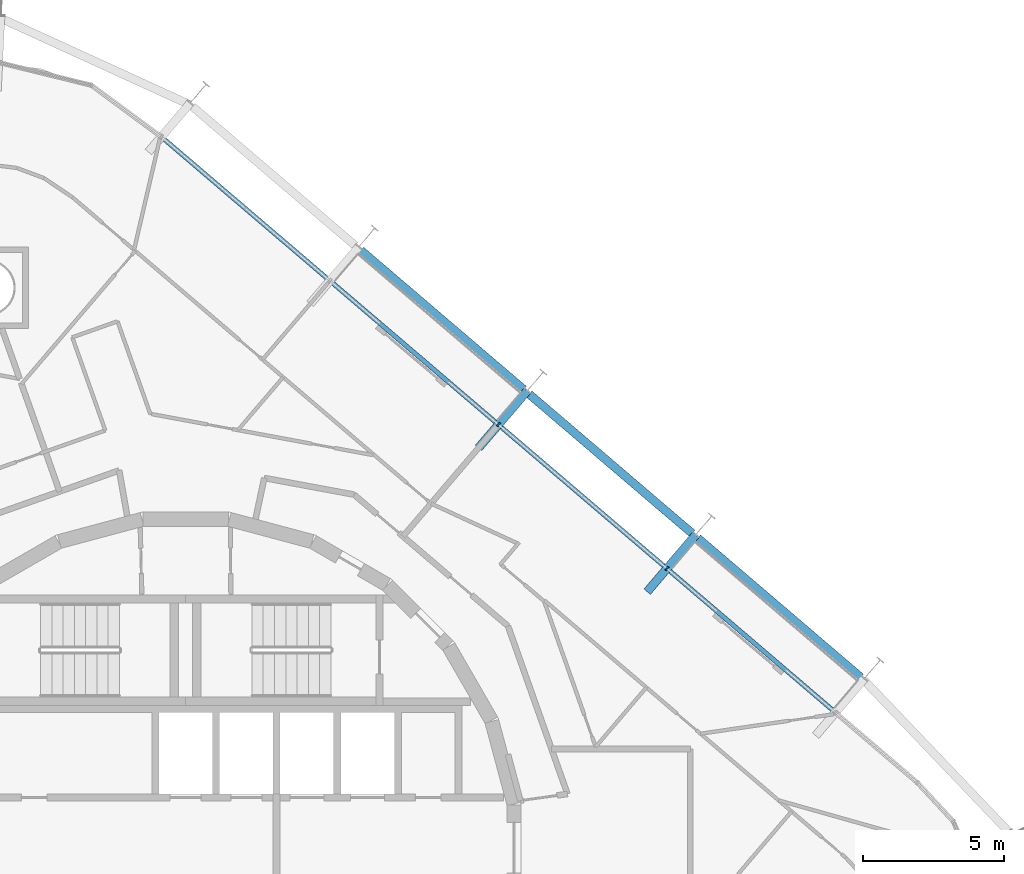
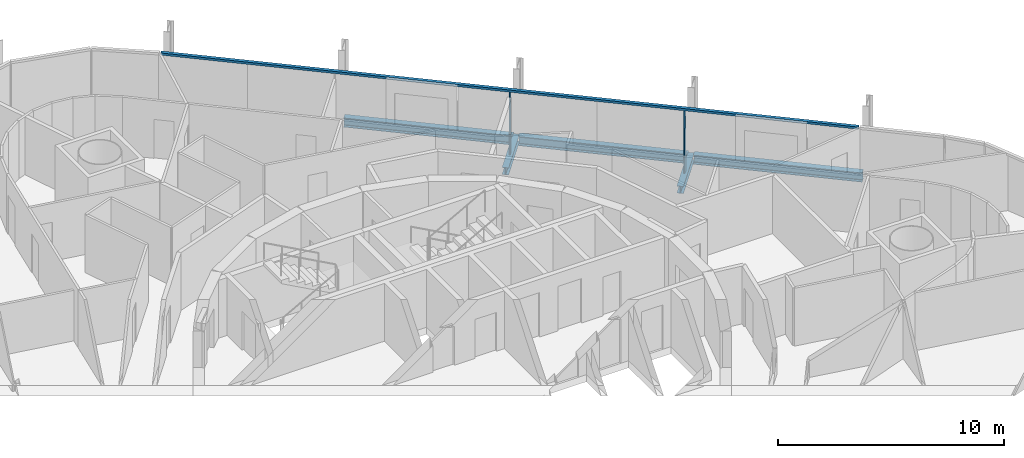
# One storey, part 8 of 17: 5 beams, 3 members, 1 element without a shape of its own.
"""IFC4 building model written with IfcOpenShell, lengths in metres."""

from ifc_helpers import new_model, si_unit, direction, frame, origin, origin_2d, place, context, subcontext, project, spatial, rectangle, i_section, extrude, material, layer, layer_set, material_profile, profile_set, type_object, element, aggregate, save


model = new_model("IFC4")

# Units and contexts
model_context = context("Model", 3, precision=1e-05, world=origin(), true_north=direction((0.0, 1.0)))
body_context = subcontext(model_context, "Body", "Model", "MODEL_VIEW")
ifc_project = project(units=[si_unit("LENGTHUNIT", "METRE"), si_unit("AREAUNIT", "SQUARE_METRE"), si_unit("VOLUMEUNIT", "CUBIC_METRE"), si_unit("PLANEANGLEUNIT", "RADIAN"), si_unit("MASSUNIT", "GRAM", prefix="KILO")], contexts=[model_context])

# Site, building, storey
site_placement = place(None, origin())
site = spatial("IfcSite", under=ifc_project, at=site_placement, CompositionType="ELEMENT")
building_placement = place(site_placement, origin())
building = spatial("IfcBuilding", under=site, at=building_placement, Name="Spindle Arch Residences", CompositionType="ELEMENT")
storey_placement = place(building_placement, frame((0.0, 0.0, 176.199951171875)))
storey = spatial("IfcBuildingStorey", under=building, at=storey_placement, Name="L44", CompositionType="ELEMENT", Elevation=176.199951171875)

# Curtain wall, members
ifc_material_1 = material(Name="Aluminium bronze unitised frame with tinted glass", Category="aluminium")
ifc_layer = layer(ifc_material_1, 0.159912109375)
ifc_layer_set = layer_set([ifc_layer], Name="CW-C typical residential unitised wall")
curtain_wall_type = type_object("IfcCurtainWallType", Name="CW-C typical residential unitised wall", PredefinedType="NOTDEFINED", material=ifc_layer_set)
curtain_wall_placement = place(storey_placement, origin())
curtain_wall = element("IfcCurtainWall", 1, at=curtain_wall_placement, inside=storey, type_object=curtain_wall_type, Name="CW-C L44 run 2", PredefinedType="NOTDEFINED")
ifc_material_2 = material(Name="Aluminium bronze anodised mullion", Category="aluminium")
ifc_material_profile_1 = material_profile(ifc_material_2, rectangle(XDim=0.159912109375, YDim=0.06005859375, at=origin_2d()), Name="MU 60x160")
ifc_profile_set_1 = profile_set([ifc_material_profile_1], Name="Aluminium bronze anodised mullion")
member_type_1 = type_object("IfcMemberType", Name="Bronze mullion 60x160", PredefinedType="MULLION", material=ifc_profile_set_1)
member_1_placement = place(storey_placement, frame((17.06884765625, 9.8994140625, -0.3798828125), z_axis=(0.0, 0.0, 1.0), x_axis=(-0.64944804833, -0.7604059656, 0.0)))
member_1 = element("IfcMember", 2, at=member_1_placement, type_object=member_type_1, Name="CW-C mullion 06", PredefinedType="MULLION", context=body_context, shape_type="SweptSolid", body=[
    extrude(rectangle(XDim=0.159912109375, YDim=0.06005859375, at=origin_2d()), origin(), (0.0, 0.0, 1.0), 3.3798828125),
])
member_2_placement = place(storey_placement, frame((11.092041015625, 15.004150390625, -0.3798828125), z_axis=(0.0, 0.0, 1.0), x_axis=(-0.64944804833, -0.7604059656, 0.0)))
member_2 = element("IfcMember", 3, at=member_2_placement, type_object=member_type_1, Name="CW-C mullion 07", PredefinedType="MULLION", context=body_context, shape_type="SweptSolid", body=[
    extrude(rectangle(XDim=0.159912109375, YDim=0.06005859375, at=origin_2d()), origin(), (0.0, 0.0, 1.0), 3.3798828125),
])
ifc_material_3 = material(Name="Aluminium bronze anodised transom", Category="aluminium")
ifc_material_profile_2 = material_profile(ifc_material_3, rectangle(XDim=0.159912109375, YDim=0.1201171875, at=origin_2d()), Name="TR 120x160")
ifc_profile_set_2 = profile_set([ifc_material_profile_2], Name="Aluminium bronze anodised transom")
member_type_2 = type_object("IfcMemberType", Name="Bronze transom 120x160", PredefinedType="USERDEFINED", material=ifc_profile_set_2)
member_3_placement = place(storey_placement, frame((23.02294921875, 4.814208984375, 3.06005859375), z_axis=(-0.760406495952, 0.649447427368, 0.0), x_axis=(-0.649447427368, -0.760406495952, 0.0)))
member_3 = element("IfcMember", 4, at=member_3_placement, type_object=member_type_2, Name="CW-C transom 00", ObjectType="TRANSOM", PredefinedType="USERDEFINED", context=body_context, shape_type="SweptSolid", body=[
    extrude(rectangle(XDim=0.159912109375, YDim=0.1201171875, at=origin_2d()), origin(), (0.0, 0.0, 1.0), 31.38037109375),
])
aggregate(curtain_wall, [member_3, member_1, member_2])

# Beams
ifc_material_4 = material(Name="Steel S460ML, intumescent coating R 120", Category="steel")
ifc_material_profile_3 = material_profile(ifc_material_4, i_section(OverallWidth=0.300048828125, OverallDepth=0.5, WebThickness=0.014404296875, FlangeThickness=0.028076171875, FilletRadius=0.027099609375, at=origin_2d()), Name="HEB 500")
ifc_profile_set_3 = profile_set([ifc_material_profile_3], Name="Steel S460ML, intumescent coating R 120")
beam_type_1 = type_object("IfcBeamType", Name="Exoskeleton edge beam HEB 500", PredefinedType="BEAM", material=ifc_profile_set_3)
for number, where, z_axis, x_axis, name in (
    (5, (23.9404296875, 6.04248046875, -0.6298828125), (-0.760389211598, 0.649467664234, 0.0), (-0.649467664234, -0.760389211598, 0.0), "Exoskeleton edge beam 6"),
    (6, (17.963623046875, 11.147216796875, -0.6298828125), (-0.760389211598, 0.649467664234, 0.0), (-0.649467664234, -0.760389211598, 0.0), "Exoskeleton edge beam 7"),
):
    element("IfcBeam", number, at=place(storey_placement, frame(where, z_axis=z_axis, x_axis=x_axis)), inside=storey, type_object=beam_type_1, Name=name, PredefinedType="BEAM", context=body_context, shape_type="SweptSolid", body=[
        extrude(i_section(OverallWidth=0.300048828125, OverallDepth=0.5, WebThickness=0.014404296875, FlangeThickness=0.028076171875, FilletRadius=0.027099609375, at=origin_2d()), origin(), (0.0, 0.0, 1.0), 7.60009765625),
    ])
beam_placement = place(storey_placement, frame((11.98681640625, 16.251953125, -0.6298828125), z_axis=(-0.760402760949, 0.649451800476, 0.0), x_axis=(-0.649451800476, -0.760402760949, 0.0)))
element("IfcBeam", 7, at=beam_placement, inside=storey, type_object=beam_type_1, Name="Exoskeleton edge beam 8", PredefinedType="BEAM", context=body_context, shape_type="SweptSolid", body=[
    extrude(i_section(OverallWidth=0.300048828125, OverallDepth=0.5, WebThickness=0.014404296875, FlangeThickness=0.028076171875, FilletRadius=0.027099609375, at=origin_2d()), origin(), (0.0, 0.0, 1.0), 7.600341796875),
])
ifc_material_5 = material(Name="Steel S460ML, intumescent coating R 120", Category="steel")
ifc_material_profile_4 = material_profile(ifc_material_5, i_section(OverallWidth=0.300048828125, OverallDepth=0.389892578125, WebThickness=0.010986328125, FlangeThickness=0.01904296875, FilletRadius=0.027099609375, at=origin_2d()), Name="HEA 400")
ifc_profile_set_4 = profile_set([ifc_material_profile_4], Name="Steel S460ML, intumescent coating R 120")
beam_type_2 = type_object("IfcBeamType", Name="Floor outrigger HEA 400", PredefinedType="BEAM", material=ifc_profile_set_4)
for number, where, z_axis, x_axis, name in (
    (8, (18.08837890625, 11.09326171875, -0.574951171875), (-0.64941704551, -0.760432443417, 0.0), (0.760432443417, -0.64941704551, 0.0), "Floor outrigger 7"),
    (9, (12.111572265625, 16.197998046875, -0.574951171875), (-0.64941704551, -0.760432443417, 0.0), (0.760432443417, -0.64941704551, 0.0), "Floor outrigger 8"),
):
    element("IfcBeam", number, at=place(storey_placement, frame(where, z_axis=z_axis, x_axis=x_axis)), inside=storey, type_object=beam_type_2, Name=name, PredefinedType="BEAM", context=body_context, shape_type="SweptSolid", body=[
        extrude(i_section(OverallWidth=0.300048828125, OverallDepth=0.389892578125, WebThickness=0.010986328125, FlangeThickness=0.01904296875, FilletRadius=0.027099609375, at=origin_2d()), origin(), (0.0, 0.0, 1.0), 2.64990234375),
    ])

save(model, "model.ifc")
